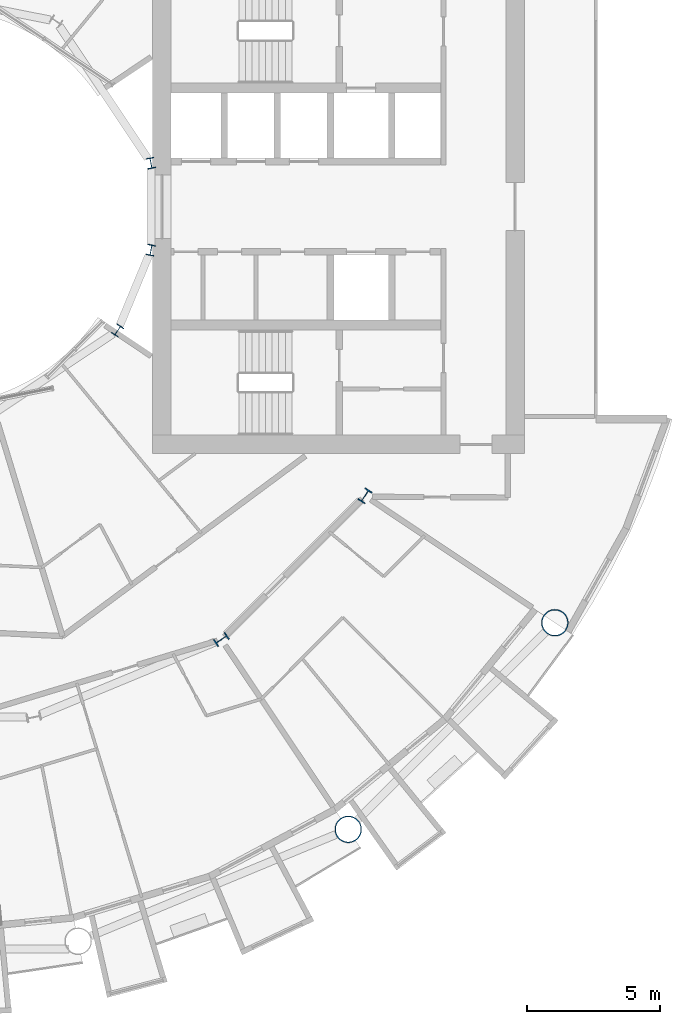
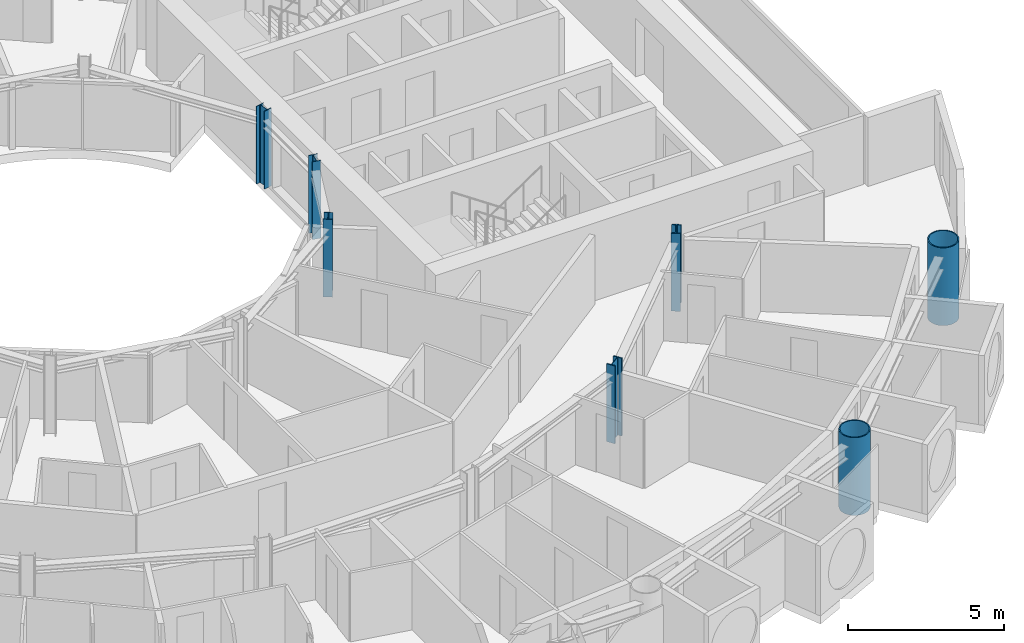
# One storey, part 2 of 26: 7 columns.
"""IFC4 building model written with IfcOpenShell, lengths in metres."""

import ifcopenshell
import ifcopenshell.guid

model = None  # the IFC model being written
_history = None  # IfcOwnerHistory: only IFC2X3 demands one
_inside = {}  # id of a spatial element -> (the spatial element, [elements in it])
_under = {}  # id of a project, library or spatial element -> (it, [spatial elements below it])
_declared = {}  # id of a project -> (the project, [libraries it declares])
_typed = {}  # id of a type object -> (the type object, [elements of that type])
_made_of = {}  # id of a material, layer set ... -> (it, [elements and type objects made of it])


def new_model(schema):
    """Start an empty IFC model of exactly this schema.

    Asked for "IFC4X3", IfcOpenShell would pick the latest addendum, in which some entities
    have other attributes; the version numbers below select the first issue.
    IFC2X3 requires an IfcOwnerHistory on every rooted entity: one is made here for all.
    """
    global model, _history
    if schema == "IFC4X3":
        model = ifcopenshell.file(schema_version=(4, 3, 0, 0))
    else:
        model = ifcopenshell.file(schema=schema)
    _inside.clear()
    _under.clear()
    _declared.clear()
    _typed.clear()
    _made_of.clear()
    _history = None
    if model.schema == "IFC2X3":
        org = make("IfcOrganization", Name="unknown")
        user = make(
            "IfcPersonAndOrganization",
            ThePerson=make("IfcPerson", FamilyName="unknown"),
            TheOrganization=org,
        )
        app = make(
            "IfcApplication",
            ApplicationDeveloper=org,
            Version="unknown",
            ApplicationFullName="unknown",
            ApplicationIdentifier="unknown",
        )
        _history = make(
            "IfcOwnerHistory",
            OwningUser=user,
            OwningApplication=app,
            ChangeAction="ADDED",
            CreationDate=0,
        )
    return model


def make(cls, **values):
    """One entity of the class cls with the attributes given. An attribute that is None is left unset."""
    return model.create_entity(
        cls, **{name: value for name, value in values.items() if value is not None}
    )


def rooted(cls, **values):
    """An entity with a GlobalId (a new one), such as an element, a storey or a relation."""
    return make(cls, GlobalId=ifcopenshell.guid.new(), OwnerHistory=_history, **values)


def si_unit(unit_type, name, prefix=None):
    """IfcSIUnit, for example si_unit("LENGTHUNIT", "METRE", prefix="MILLI")."""
    return make("IfcSIUnit", UnitType=unit_type, Prefix=prefix, Name=name)


def assignment(units):
    """IfcUnitAssignment: the units of a project."""
    return None if units is None else make("IfcUnitAssignment", Units=units)


def point(xyz):
    """IfcCartesianPoint."""
    return None if xyz is None else make("IfcCartesianPoint", Coordinates=xyz)


def direction(xyz):
    """IfcDirection."""
    return None if xyz is None else make("IfcDirection", DirectionRatios=xyz)


def frame(location, z_axis=None, x_axis=None):
    """IfcAxis2Placement3D, a coordinate frame: its origin and axes. An axis left out is left unset."""
    return make(
        "IfcAxis2Placement3D",
        Location=point(location),
        Axis=direction(z_axis),
        RefDirection=direction(x_axis),
    )


def frame_2d(location, x_axis=None):
    """IfcAxis2Placement2D, a coordinate frame in the plane: its origin and x axis."""
    return make(
        "IfcAxis2Placement2D", Location=point(location), RefDirection=direction(x_axis)
    )


def origin():
    """The frame at (0, 0, 0) with its axes left unset."""
    return frame((0.0, 0.0, 0.0))


def origin_2d():
    """The frame at (0, 0) in the plane with its x axis left unset."""
    return frame_2d((0.0, 0.0))


def place(relative_to, where):
    """IfcLocalPlacement: puts the frame where relative to a parent placement (None: the world)."""
    return make(
        "IfcLocalPlacement", PlacementRelTo=relative_to, RelativePlacement=where
    )


def context(
    kind, dimensions, precision=None, world=None, true_north=None, identifier=None
):
    """IfcGeometricRepresentationContext, for example the 3D "Model" context."""
    return make(
        "IfcGeometricRepresentationContext",
        ContextIdentifier=identifier,
        ContextType=kind,
        CoordinateSpaceDimension=dimensions,
        Precision=precision,
        WorldCoordinateSystem=world,
        TrueNorth=true_north,
    )


def subcontext(parent, identifier, kind, view, scale=None):
    """IfcGeometricRepresentationSubContext, for example "Body" below "Model"."""
    return make(
        "IfcGeometricRepresentationSubContext",
        ContextIdentifier=identifier,
        ContextType=kind,
        ParentContext=parent,
        TargetScale=scale,
        TargetView=view,
    )


def project(units=None, contexts=None):
    """IfcProject with its units and contexts."""
    return rooted(
        "IfcProject",
        Name="project",
        RepresentationContexts=contexts,
        UnitsInContext=assignment(units),
    )


def spatial(cls, under=None, at=None, **own):
    """A site, building, storey or space (cls), placed at a placement, below another one or the project."""
    s = rooted(cls, ObjectPlacement=at, **own)
    if under is not None:
        _under.setdefault(under.id(), (under, []))[1].append(s)
    return s


def profile(cls, at=None, kind="AREA", **sizes):
    """A parametric profile (cls). Its sizes go by their IFC names, for example OverallWidth=200.0."""
    return make(cls, ProfileType=kind, Position=at, **sizes)


def hollow_circle(**sizes):
    """IfcCircleHollowProfileDef."""
    return profile("IfcCircleHollowProfileDef", **sizes)


def i_section(**sizes):
    """IfcIShapeProfileDef."""
    return profile("IfcIShapeProfileDef", **sizes)


def extrude(swept, where, along, depth):
    """IfcExtrudedAreaSolid: the profile swept, set in the frame where, extruded along a direction by depth."""
    return make(
        "IfcExtrudedAreaSolid",
        SweptArea=swept,
        Position=where,
        ExtrudedDirection=direction(along),
        Depth=depth,
    )


def shape(context_of_items, identifier, shape_type, items):
    """IfcShapeRepresentation: the items that make up one representation, for example the "Body"."""
    return make(
        "IfcShapeRepresentation",
        ContextOfItems=context_of_items,
        RepresentationIdentifier=identifier,
        RepresentationType=shape_type,
        Items=items,
    )


def material(Name=None, Category=None):
    """IfcMaterial."""
    return make("IfcMaterial", Name=Name, Category=Category)


def material_profile(
    of_material, cross_section, Name=None, Category=None, Priority=None
):
    """IfcMaterialProfile: a cross section and its material."""
    return make(
        "IfcMaterialProfile",
        Name=Name,
        Material=of_material,
        Profile=cross_section,
        Priority=Priority,
        Category=Category,
    )


def profile_set(profiles, Name=None, composite=None):
    """IfcMaterialProfileSet."""
    return make(
        "IfcMaterialProfileSet",
        Name=Name,
        MaterialProfiles=profiles,
        CompositeProfile=composite,
    )


def made_of(thing, what):
    """Note that an element or type object is made of a material, layer set ...; save() writes the relation."""
    if what is not None:
        _made_of.setdefault(what.id(), (what, []))[1].append(thing)
    return thing


def type_object(cls, material=None, **own):
    """A type object (cls), such as IfcWallType, which elements share."""
    return made_of(rooted(cls, **own), material)


def element(
    cls,
    number,
    at=None,
    inside=None,
    cuts=None,
    type_object=None,
    material=None,
    context=None,
    identifier="Body",
    shape_type=None,
    held_by="IfcProductDefinitionShape",
    body=None,
    shapes=None,
    **own,
):
    """One element of the class cls, such as IfcWall. Its Tag is "e" and its number.

    at: its placement. inside: the storey or other place that contains it. cuts: it is an
    opening in that element (IfcRelVoidsElement). A single representation is given by context,
    identifier, shape_type and body (its items); several are given by shapes. held_by: the class
    of the entity that holds the representations. save() writes the other relations.
    """
    e = rooted(cls, Tag="e%d" % number, ObjectPlacement=at, **own)
    if body is not None:
        shapes = [shape(context, identifier, shape_type, body)]
    if shapes is not None:
        e.Representation = make(held_by, Representations=shapes)
    if inside is not None:
        _inside.setdefault(inside.id(), (inside, []))[1].append(e)
    if cuts is not None:
        rooted(
            "IfcRelVoidsElement", RelatingBuildingElement=cuts, RelatedOpeningElement=e
        )
    if type_object is not None:
        _typed.setdefault(type_object.id(), (type_object, []))[1].append(e)
    return made_of(e, material)


def aggregate(whole, parts):
    """IfcRelAggregates: a whole, such as a stair, and the parts it consists of."""
    return rooted("IfcRelAggregates", RelatingObject=whole, RelatedObjects=parts)


def save(model, path):
    """Write the relations noted so far, then the file.

    IfcRelAggregates (storeys below a building ...), IfcRelContainedInSpatialStructure (elements
    in a storey), IfcRelDefinesByType, IfcRelAssociatesMaterial and IfcRelDeclares: one each for
    every whole, place, type object, material and project.
    """
    for whole, parts in _under.values():
        aggregate(whole, parts)
    for where, things in _inside.values():
        rooted(
            "IfcRelContainedInSpatialStructure",
            RelatedElements=things,
            RelatingStructure=where,
        )
    for kind, things in _typed.values():
        rooted("IfcRelDefinesByType", RelatedObjects=things, RelatingType=kind)
    for what, things in _made_of.values():
        rooted("IfcRelAssociatesMaterial", RelatedObjects=things, RelatingMaterial=what)
    for by, libraries in _declared.values():
        rooted("IfcRelDeclares", RelatingContext=by, RelatedDefinitions=libraries)
    model.write(path)


model = new_model("IFC4")

# Units and contexts
model_context = context("Model", 3, precision=1e-05, world=origin(), true_north=direction((0.0, 1.0)))
body_context = subcontext(model_context, "Body", "Model", "MODEL_VIEW")
ifc_project = project(units=[si_unit("LENGTHUNIT", "METRE"), si_unit("AREAUNIT", "SQUARE_METRE"), si_unit("VOLUMEUNIT", "CUBIC_METRE"), si_unit("PLANEANGLEUNIT", "RADIAN"), si_unit("MASSUNIT", "GRAM", prefix="KILO")], contexts=[model_context])

# Site, building, storey
site_placement = place(None, origin())
site = spatial("IfcSite", under=ifc_project, at=site_placement, CompositionType="ELEMENT")
building_placement = place(site_placement, origin())
building = spatial("IfcBuilding", under=site, at=building_placement, Name="Maasbend Ring Residences", CompositionType="ELEMENT")
storey_placement = place(building_placement, frame((0.0, 0.0, 72.75)))
storey = spatial("IfcBuildingStorey", under=building, at=storey_placement, Name="L20", CompositionType="ELEMENT", Elevation=72.75)

# Columns
ifc_material_1 = material(Name="Composite concrete-filled steel tube S460NH / C80/95", Category="concrete")
ifc_material_profile_1 = material_profile(ifc_material_1, hollow_circle(Radius=0.508056640625, WallThickness=0.0400390625, at=origin_2d()), Name="Composite tube column CHS 1016x40")
ifc_profile_set_1 = profile_set([ifc_material_profile_1], Name="Composite concrete-filled steel tube S460NH / C80/95")
column_type_1 = type_object("IfcColumnType", Name="Composite tube column CHS 1016x40", PredefinedType="COLUMN", material=ifc_profile_set_1)
for number, where, z_axis, x_axis, name in (
    (1, (15.6669921875, -23.447509765625, 0.0), (0.0, 0.0, 1.0), (1.0, 0.0, 0.0), "Outer column R14"),
    (2, (23.447509765625, -15.6669921875, 0.0), (0.0, 0.0, 1.0), (1.0, 0.0, 0.0), "Outer column R15"),
):
    element("IfcColumn", number, at=place(storey_placement, frame(where, z_axis=z_axis, x_axis=x_axis)), inside=storey, type_object=column_type_1, Name=name, PredefinedType="COLUMN", context=body_context, shape_type="SweptSolid", body=[
        extrude(hollow_circle(Radius=0.508056640625, WallThickness=0.0400390625, at=origin_2d()), origin(), (0.0, 0.0, 1.0), 3.050048828125),
    ])
ifc_material_2 = material(Name="Steel S355J2", Category="steel")
ifc_material_profile_2 = material_profile(ifc_material_2, i_section(OverallWidth=0.300048828125, OverallDepth=0.39990234375, WebThickness=0.013427734375, FlangeThickness=0.02392578125, FilletRadius=0.027099609375, at=origin_2d()), Name="HEB 400")
ifc_profile_set_2 = profile_set([ifc_material_profile_2], Name="Steel S355J2")
column_type_2 = type_object("IfcColumnType", Name="Steel column HEB 400", PredefinedType="COLUMN", material=ifc_profile_set_2)
for number, where, z_axis, x_axis, name in (
    (3, (8.238525390625, 1.638916015625, 0.0), (0.0, 0.0, 1.0), (0.980785280403, 0.195090322016, 0.0), "Well ring column R1"),
    (4, (6.984375, -4.666748046875, 0.0), (0.0, 0.0, 1.0), (0.831469612303, -0.55557023302, 0.0), "Well ring column R15"),
    (5, (8.238525390625, -1.638916015625, 0.0), (0.0, 0.0, 1.0), (0.980785280403, -0.195090322016, 0.0), "Well ring column R16"),
):
    element("IfcColumn", number, at=place(storey_placement, frame(where, z_axis=z_axis, x_axis=x_axis)), inside=storey, type_object=column_type_2, Name=name, PredefinedType="COLUMN", context=body_context, shape_type="SweptSolid", body=[
        extrude(i_section(OverallWidth=0.300048828125, OverallDepth=0.39990234375, WebThickness=0.013427734375, FlangeThickness=0.02392578125, FilletRadius=0.027099609375, at=origin_2d()), origin(), (0.0, 0.0, 1.0), 3.050048828125),
    ])
ifc_material_3 = material(Name="Steel S460M", Category="steel")
ifc_material_profile_3 = material_profile(ifc_material_3, i_section(OverallWidth=0.305908203125, OverallDepth=0.52392578125, WebThickness=0.02099609375, FlangeThickness=0.0400390625, FilletRadius=0.027099609375, at=origin_2d()), Name="HEM 500")
ifc_profile_set_3 = profile_set([ifc_material_profile_3], Name="Steel S460M")
column_type_3 = type_object("IfcColumnType", Name="Steel column HEM 500", PredefinedType="COLUMN", material=ifc_profile_set_3)
for number, where, z_axis, x_axis, name in (
    (6, (10.88916015625, -16.296875, 0.0), (0.0, 0.0, 1.0), (0.55557023302, -0.831469612303, 0.0), "Corridor ring column R14"),
    (7, (16.296875, -10.88916015625, 0.0), (0.0, 0.0, 1.0), (0.831469612303, -0.55557023302, 0.0), "Corridor ring column R15"),
):
    element("IfcColumn", number, at=place(storey_placement, frame(where, z_axis=z_axis, x_axis=x_axis)), inside=storey, type_object=column_type_3, Name=name, PredefinedType="COLUMN", context=body_context, shape_type="SweptSolid", body=[
        extrude(i_section(OverallWidth=0.305908203125, OverallDepth=0.52392578125, WebThickness=0.02099609375, FlangeThickness=0.0400390625, FilletRadius=0.027099609375, at=origin_2d()), origin(), (0.0, 0.0, 1.0), 3.050048828125),
    ])

save(model, "model.ifc")
